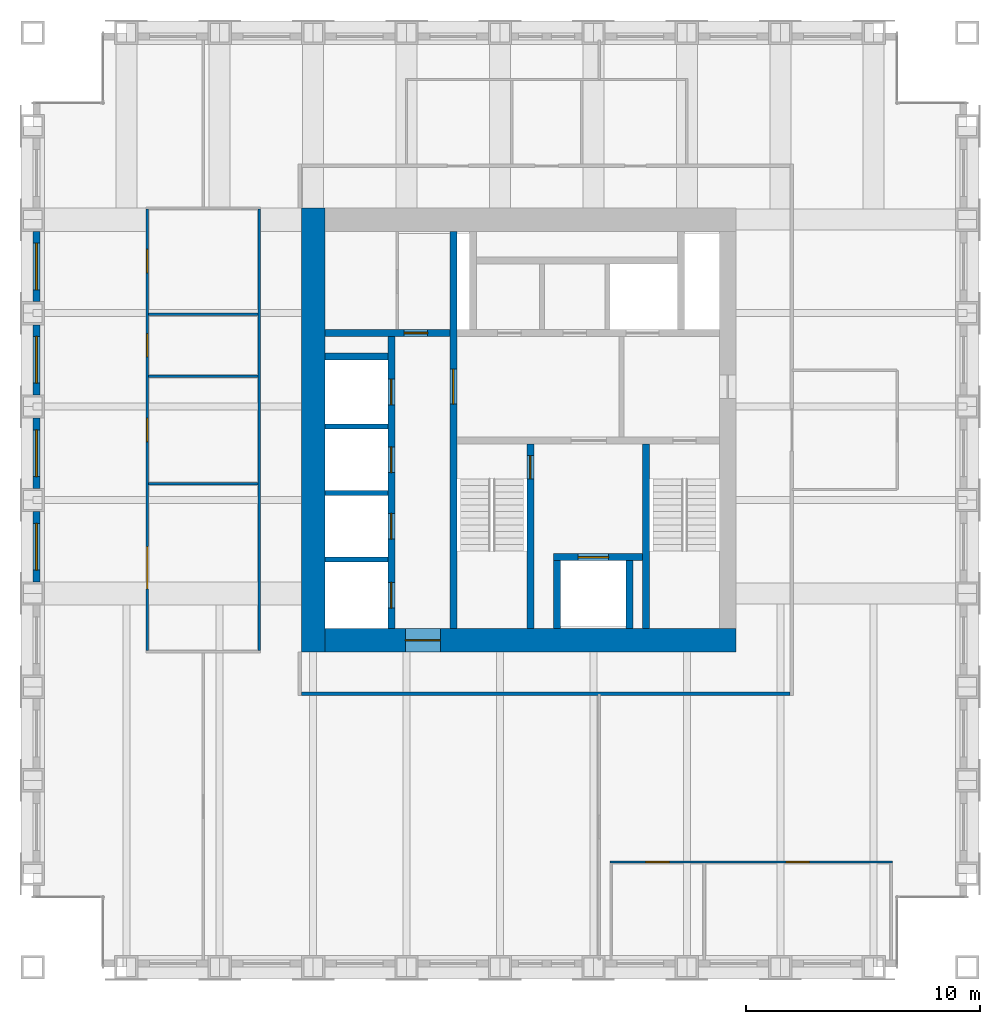
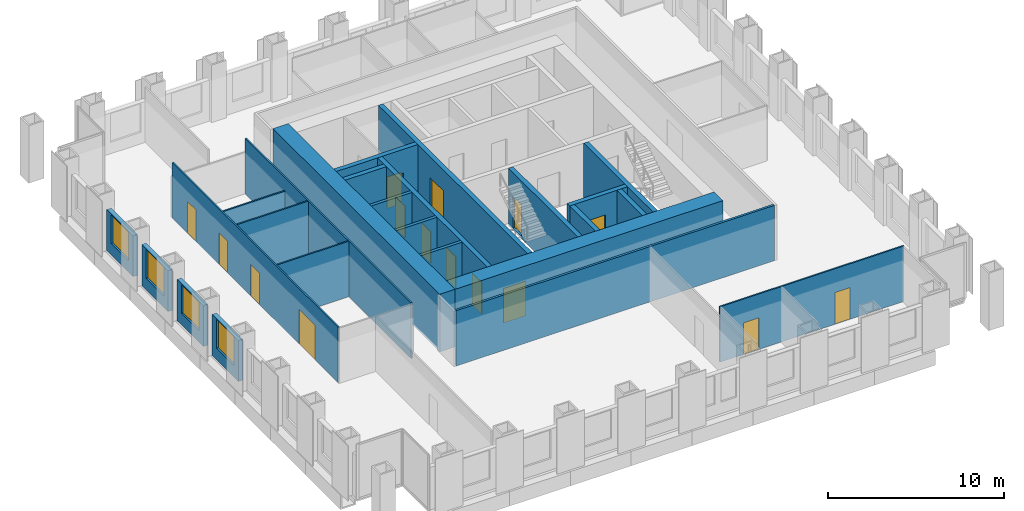
# One storey, part 8 of 11: 25 walls, 15 doors, 4 windows, 19 openings.
"""IFC4 building model written with IfcOpenShell, lengths in metres."""

import ifcopenshell
import ifcopenshell.guid

model = None  # the IFC model being written
_history = None  # IfcOwnerHistory: only IFC2X3 demands one
_inside = {}  # id of a spatial element -> (the spatial element, [elements in it])
_under = {}  # id of a project, library or spatial element -> (it, [spatial elements below it])
_declared = {}  # id of a project -> (the project, [libraries it declares])
_typed = {}  # id of a type object -> (the type object, [elements of that type])
_made_of = {}  # id of a material, layer set ... -> (it, [elements and type objects made of it])


def new_model(schema):
    """Start an empty IFC model of exactly this schema.

    Asked for "IFC4X3", IfcOpenShell would pick the latest addendum, in which some entities
    have other attributes; the version numbers below select the first issue.
    IFC2X3 requires an IfcOwnerHistory on every rooted entity: one is made here for all.
    """
    global model, _history
    if schema == "IFC4X3":
        model = ifcopenshell.file(schema_version=(4, 3, 0, 0))
    else:
        model = ifcopenshell.file(schema=schema)
    _inside.clear()
    _under.clear()
    _declared.clear()
    _typed.clear()
    _made_of.clear()
    _history = None
    if model.schema == "IFC2X3":
        org = make("IfcOrganization", Name="unknown")
        user = make(
            "IfcPersonAndOrganization",
            ThePerson=make("IfcPerson", FamilyName="unknown"),
            TheOrganization=org,
        )
        app = make(
            "IfcApplication",
            ApplicationDeveloper=org,
            Version="unknown",
            ApplicationFullName="unknown",
            ApplicationIdentifier="unknown",
        )
        _history = make(
            "IfcOwnerHistory",
            OwningUser=user,
            OwningApplication=app,
            ChangeAction="ADDED",
            CreationDate=0,
        )
    return model


def make(cls, **values):
    """One entity of the class cls with the attributes given. An attribute that is None is left unset."""
    return model.create_entity(
        cls, **{name: value for name, value in values.items() if value is not None}
    )


def rooted(cls, **values):
    """An entity with a GlobalId (a new one), such as an element, a storey or a relation."""
    return make(cls, GlobalId=ifcopenshell.guid.new(), OwnerHistory=_history, **values)


def si_unit(unit_type, name, prefix=None):
    """IfcSIUnit, for example si_unit("LENGTHUNIT", "METRE", prefix="MILLI")."""
    return make("IfcSIUnit", UnitType=unit_type, Prefix=prefix, Name=name)


def assignment(units):
    """IfcUnitAssignment: the units of a project."""
    return None if units is None else make("IfcUnitAssignment", Units=units)


def point(xyz):
    """IfcCartesianPoint."""
    return None if xyz is None else make("IfcCartesianPoint", Coordinates=xyz)


def direction(xyz):
    """IfcDirection."""
    return None if xyz is None else make("IfcDirection", DirectionRatios=xyz)


def frame(location, z_axis=None, x_axis=None):
    """IfcAxis2Placement3D, a coordinate frame: its origin and axes. An axis left out is left unset."""
    return make(
        "IfcAxis2Placement3D",
        Location=point(location),
        Axis=direction(z_axis),
        RefDirection=direction(x_axis),
    )


def frame_2d(location, x_axis=None):
    """IfcAxis2Placement2D, a coordinate frame in the plane: its origin and x axis."""
    return make(
        "IfcAxis2Placement2D", Location=point(location), RefDirection=direction(x_axis)
    )


def origin():
    """The frame at (0, 0, 0) with its axes left unset."""
    return frame((0.0, 0.0, 0.0))


def place(relative_to, where):
    """IfcLocalPlacement: puts the frame where relative to a parent placement (None: the world)."""
    return make(
        "IfcLocalPlacement", PlacementRelTo=relative_to, RelativePlacement=where
    )


def context(
    kind, dimensions, precision=None, world=None, true_north=None, identifier=None
):
    """IfcGeometricRepresentationContext, for example the 3D "Model" context."""
    return make(
        "IfcGeometricRepresentationContext",
        ContextIdentifier=identifier,
        ContextType=kind,
        CoordinateSpaceDimension=dimensions,
        Precision=precision,
        WorldCoordinateSystem=world,
        TrueNorth=true_north,
    )


def subcontext(parent, identifier, kind, view, scale=None):
    """IfcGeometricRepresentationSubContext, for example "Body" below "Model"."""
    return make(
        "IfcGeometricRepresentationSubContext",
        ContextIdentifier=identifier,
        ContextType=kind,
        ParentContext=parent,
        TargetScale=scale,
        TargetView=view,
    )


def project(units=None, contexts=None):
    """IfcProject with its units and contexts."""
    return rooted(
        "IfcProject",
        Name="project",
        RepresentationContexts=contexts,
        UnitsInContext=assignment(units),
    )


def spatial(cls, under=None, at=None, **own):
    """A site, building, storey or space (cls), placed at a placement, below another one or the project."""
    s = rooted(cls, ObjectPlacement=at, **own)
    if under is not None:
        _under.setdefault(under.id(), (under, []))[1].append(s)
    return s


def profile(cls, at=None, kind="AREA", **sizes):
    """A parametric profile (cls). Its sizes go by their IFC names, for example OverallWidth=200.0."""
    return make(cls, ProfileType=kind, Position=at, **sizes)


def rectangle(**sizes):
    """IfcRectangleProfileDef."""
    return profile("IfcRectangleProfileDef", **sizes)


def extrude(swept, where, along, depth):
    """IfcExtrudedAreaSolid: the profile swept, set in the frame where, extruded along a direction by depth."""
    return make(
        "IfcExtrudedAreaSolid",
        SweptArea=swept,
        Position=where,
        ExtrudedDirection=direction(along),
        Depth=depth,
    )


def shape(context_of_items, identifier, shape_type, items):
    """IfcShapeRepresentation: the items that make up one representation, for example the "Body"."""
    return make(
        "IfcShapeRepresentation",
        ContextOfItems=context_of_items,
        RepresentationIdentifier=identifier,
        RepresentationType=shape_type,
        Items=items,
    )


def material(Name=None, Category=None):
    """IfcMaterial."""
    return make("IfcMaterial", Name=Name, Category=Category)


def layer(
    of_material, thickness, ventilated=None, Name=None, Category=None, Priority=None
):
    """IfcMaterialLayer: one layer of a wall or slab, of a material (None: an air gap)."""
    return make(
        "IfcMaterialLayer",
        Material=of_material,
        LayerThickness=thickness,
        IsVentilated=ventilated,
        Name=Name,
        Category=Category,
        Priority=Priority,
    )


def layer_set(layers, Name=None):
    """IfcMaterialLayerSet."""
    return make("IfcMaterialLayerSet", MaterialLayers=layers, LayerSetName=Name)


def made_of(thing, what):
    """Note that an element or type object is made of a material, layer set ...; save() writes the relation."""
    if what is not None:
        _made_of.setdefault(what.id(), (what, []))[1].append(thing)
    return thing


def type_object(cls, material=None, **own):
    """A type object (cls), such as IfcWallType, which elements share."""
    return made_of(rooted(cls, **own), material)


def element(
    cls,
    number,
    at=None,
    inside=None,
    cuts=None,
    type_object=None,
    material=None,
    context=None,
    identifier="Body",
    shape_type=None,
    held_by="IfcProductDefinitionShape",
    body=None,
    shapes=None,
    **own,
):
    """One element of the class cls, such as IfcWall. Its Tag is "e" and its number.

    at: its placement. inside: the storey or other place that contains it. cuts: it is an
    opening in that element (IfcRelVoidsElement). A single representation is given by context,
    identifier, shape_type and body (its items); several are given by shapes. held_by: the class
    of the entity that holds the representations. save() writes the other relations.
    """
    e = rooted(cls, Tag="e%d" % number, ObjectPlacement=at, **own)
    if body is not None:
        shapes = [shape(context, identifier, shape_type, body)]
    if shapes is not None:
        e.Representation = make(held_by, Representations=shapes)
    if inside is not None:
        _inside.setdefault(inside.id(), (inside, []))[1].append(e)
    if cuts is not None:
        rooted(
            "IfcRelVoidsElement", RelatingBuildingElement=cuts, RelatedOpeningElement=e
        )
    if type_object is not None:
        _typed.setdefault(type_object.id(), (type_object, []))[1].append(e)
    return made_of(e, material)


def fill(opening, filler):
    """IfcRelFillsElement: the door or window that sits in an opening."""
    return rooted(
        "IfcRelFillsElement",
        RelatingOpeningElement=opening,
        RelatedBuildingElement=filler,
    )


def aggregate(whole, parts):
    """IfcRelAggregates: a whole, such as a stair, and the parts it consists of."""
    return rooted("IfcRelAggregates", RelatingObject=whole, RelatedObjects=parts)


def save(model, path):
    """Write the relations noted so far, then the file.

    IfcRelAggregates (storeys below a building ...), IfcRelContainedInSpatialStructure (elements
    in a storey), IfcRelDefinesByType, IfcRelAssociatesMaterial and IfcRelDeclares: one each for
    every whole, place, type object, material and project.
    """
    for whole, parts in _under.values():
        aggregate(whole, parts)
    for where, things in _inside.values():
        rooted(
            "IfcRelContainedInSpatialStructure",
            RelatedElements=things,
            RelatingStructure=where,
        )
    for kind, things in _typed.values():
        rooted("IfcRelDefinesByType", RelatedObjects=things, RelatingType=kind)
    for what, things in _made_of.values():
        rooted("IfcRelAssociatesMaterial", RelatedObjects=things, RelatingMaterial=what)
    for by, libraries in _declared.values():
        rooted("IfcRelDeclares", RelatingContext=by, RelatedDefinitions=libraries)
    model.write(path)


model = new_model("IFC4")

# Units and contexts
model_context = context("Model", 3, precision=1e-05, world=origin(), true_north=direction((0.0, 1.0)))
body_context = subcontext(model_context, "Body", "Model", "MODEL_VIEW")
ifc_project = project(units=[si_unit("LENGTHUNIT", "METRE"), si_unit("AREAUNIT", "SQUARE_METRE"), si_unit("VOLUMEUNIT", "CUBIC_METRE"), si_unit("PLANEANGLEUNIT", "RADIAN"), si_unit("MASSUNIT", "GRAM", prefix="KILO")], contexts=[model_context])

# Site, building, storey
site_placement = place(None, origin())
site = spatial("IfcSite", under=ifc_project, at=site_placement, CompositionType="ELEMENT")
building_placement = place(site_placement, origin())
building = spatial("IfcBuilding", under=site, at=building_placement, Name="Rimbunsela Tower", CompositionType="ELEMENT")
storey_placement = place(building_placement, frame((0.0, 0.0, 278.199951171875)))
storey = spatial("IfcBuildingStorey", under=building, at=storey_placement, Name="L67", CompositionType="ELEMENT", Elevation=278.199951171875)

# Wall, opening, door
ifc_material_1 = material(Name="Concrete fc' 80 MPa", Category="concrete")
ifc_layer_1 = layer(ifc_material_1, 0.300048828125)
ifc_layer_set_1 = layer_set([ifc_layer_1], Name="Core internal wall 300")
wall_type_1 = type_object("IfcWallType", Name="Core internal wall 300", PredefinedType="SHEAR", material=ifc_layer_set_1)
wall_1_placement = place(storey_placement, frame((24.0, 18.5, -0.14990234375), z_axis=(0.0, 0.0, 1.0), x_axis=(0.0, 1.0, 0.0)))
wall_1 = element("IfcWall", 1, at=wall_1_placement, inside=storey, type_object=wall_type_1, Name="Core wall at stair A", PredefinedType="SHEAR", context=body_context, shape_type="SweptSolid", body=[
    extrude(rectangle(XDim=17.0, YDim=0.300048828125, at=frame_2d((8.5, 0.0))), origin(), (0.0, 0.0, 1.0), 4.0),
])
opening_1_placement = place(wall_1_placement, frame((9.60009765625, 0.0, 0.14990234375)))
opening_1 = element("IfcOpeningElement", 2, at=opening_1_placement, cuts=wall_1, Name="Opening D03", PredefinedType="OPENING", context=body_context, shape_type="SweptSolid", body=[
    extrude(rectangle(XDim=1.5, YDim=2.39990234375, at=frame_2d((0.75, 1.199951171875))), frame((0.0, 0.159912109375, 0.0), z_axis=(0.0, -1.0, 0.0), x_axis=(1.0, 0.0, 0.0)), (0.0, 0.0, 1.0), 0.320068359375),
])
ifc_material_2 = material(Name="Steel door, fire rated", Category="steel")
door_type_1 = type_object("IfcDoorType", Name="Core lobby door 1500", OperationType="DOUBLE_DOOR_DOUBLE_SWING", PredefinedType="DOOR", material=ifc_material_2)
door_1_placement = place(opening_1_placement, origin())
door_1 = element("IfcDoor", 3, at=door_1_placement, inside=storey, type_object=door_type_1, Name="West lobby door", OperationType="DOUBLE_DOOR_DOUBLE_SWING", OverallHeight=2.39990234375, OverallWidth=1.5, PredefinedType="DOOR", context=body_context, shape_type="SweptSolid", body=[
    extrude(rectangle(XDim=1.5, YDim=2.39990234375, at=frame_2d((0.75, 1.199951171875))), frame((0.0, 0.02490234375, 0.0), z_axis=(0.0, -1.0, 0.0), x_axis=(1.0, 0.0, 0.0)), (0.0, 0.0, 1.0), 0.050048828125),
])
fill(opening_1, door_1)

wall_2_placement = place(storey_placement, frame((27.300048828125, 18.5, -0.14990234375), z_axis=(0.0, 0.0, 1.0), x_axis=(0.0, 1.0, 0.0)))
wall_2 = element("IfcWall", 4, at=wall_2_placement, inside=storey, type_object=wall_type_1, Name="Stair A enclosure", PredefinedType="SHEAR", context=body_context, shape_type="SweptSolid", body=[
    extrude(rectangle(XDim=7.89990234375, YDim=0.300048828125, at=frame_2d((3.949951171875, 0.0))), origin(), (0.0, 0.0, 1.0), 4.0),
])
opening_2_placement = place(wall_2_placement, frame((6.39990234375, 0.0, 0.14990234375)))
opening_2 = element("IfcOpeningElement", 5, at=opening_2_placement, cuts=wall_2, Name="Opening D01", PredefinedType="OPENING", context=body_context, shape_type="SweptSolid", body=[
    extrude(rectangle(XDim=1.0, YDim=2.199951171875, at=frame_2d((0.5, 1.10009765625))), frame((0.0, 0.159912109375, 0.0), z_axis=(0.0, -1.0, 0.0), x_axis=(1.0, 0.0, 0.0)), (0.0, 0.0, 1.0), 0.320068359375),
])
ifc_material_3 = material(Name="Steel door, fire rated", Category="steel")
door_type_2 = type_object("IfcDoorType", Name="Stair door 1000", OperationType="SINGLE_SWING_RIGHT", PredefinedType="DOOR", material=ifc_material_3)
door_2_placement = place(opening_2_placement, origin())
door_2 = element("IfcDoor", 6, at=door_2_placement, inside=storey, type_object=door_type_2, Name="Stair A door", OperationType="SINGLE_SWING_RIGHT", OverallHeight=2.199951171875, OverallWidth=1.0, PredefinedType="DOOR", context=body_context, shape_type="SweptSolid", body=[
    extrude(rectangle(XDim=1.0, YDim=2.199951171875, at=frame_2d((0.5, 1.10009765625))), frame((0.0, 0.02490234375, 0.0), z_axis=(0.0, -1.0, 0.0), x_axis=(1.0, 0.0, 0.0)), (0.0, 0.0, 1.0), 0.050048828125),
])
fill(opening_2, door_2)

# Walls
wall_3_placement = place(storey_placement, frame((32.25, 18.5, -0.14990234375), z_axis=(0.0, 0.0, 1.0), x_axis=(0.0, 1.0, 0.0)))
element("IfcWall", 7, at=wall_3_placement, inside=storey, type_object=wall_type_1, Name="Stair B enclosure", PredefinedType="SHEAR", context=body_context, shape_type="SweptSolid", body=[
    extrude(rectangle(XDim=7.89990234375, YDim=0.300048828125, at=frame_2d((3.949951171875, 0.0))), origin(), (0.0, 0.0, 1.0), 4.0),
])
for number, where, z_axis, x_axis, name in (
    (8, (28.449951171875, 18.5, -0.14990234375), (0.0, 0.0, 1.0), (0.0, 1.0, 0.0), "Firefighting lift shaft west"),
    (9, (31.550048828125, 18.5, -0.14990234375), (0.0, 0.0, 1.0), (0.0, 1.0, 0.0), "Firefighting lift shaft east"),
):
    element("IfcWall", number, at=place(storey_placement, frame(where, z_axis=z_axis, x_axis=x_axis)), inside=storey, type_object=wall_type_1, Name=name, PredefinedType="SHEAR", context=body_context, shape_type="SweptSolid", body=[
        extrude(rectangle(XDim=2.89990234375, YDim=0.300048828125, at=frame_2d((1.449951171875, 0.0))), origin(), (0.0, 0.0, 1.0), 4.0),
    ])

# Wall, opening, door
wall_4_placement = place(storey_placement, frame((28.300048828125, 21.550048828125, -0.14990234375), z_axis=(0.0, 0.0, 1.0), x_axis=(1.0, 0.0, 0.0)))
wall_4 = element("IfcWall", 10, at=wall_4_placement, inside=storey, type_object=wall_type_1, Name="Firefighting lift shaft front", PredefinedType="SHEAR", context=body_context, shape_type="SweptSolid", body=[
    extrude(rectangle(XDim=3.800048828125, YDim=0.300048828125, at=frame_2d((1.89990234375, 0.0))), origin(), (0.0, 0.0, 1.0), 4.0),
])
opening_3_placement = place(wall_4_placement, frame((1.050048828125, 0.0, 0.14990234375)))
opening_3 = element("IfcOpeningElement", 11, at=opening_3_placement, cuts=wall_4, Name="Opening LD2", PredefinedType="OPENING", context=body_context, shape_type="SweptSolid", body=[
    extrude(rectangle(XDim=1.300048828125, YDim=2.39990234375, at=frame_2d((0.64990234375, 1.199951171875))), frame((0.0, 0.159912109375, 0.0), z_axis=(0.0, -1.0, 0.0), x_axis=(1.0, 0.0, 0.0)), (0.0, 0.0, 1.0), 0.320068359375),
])
ifc_material_4 = material(Name="Steel door, fire rated", Category="steel")
door_type_3 = type_object("IfcDoorType", Name="Lift landing door 1300", OperationType="DOUBLE_DOOR_SLIDING", PredefinedType="DOOR", material=ifc_material_4)
door_3_placement = place(opening_3_placement, origin())
door_3 = element("IfcDoor", 12, at=door_3_placement, inside=storey, type_object=door_type_3, Name="Lift landing door FL1", OperationType="DOUBLE_DOOR_SLIDING", OverallHeight=2.39990234375, OverallWidth=1.300048828125, PredefinedType="DOOR", context=body_context, shape_type="SweptSolid", body=[
    extrude(rectangle(XDim=1.300048828125, YDim=2.39990234375, at=frame_2d((0.64990234375, 1.199951171875))), frame((0.0, 0.02490234375, 0.0), z_axis=(0.0, -1.0, 0.0), x_axis=(1.0, 0.0, 0.0)), (0.0, 0.0, 1.0), 0.050048828125),
])
fill(opening_3, door_3)

# Wall, openings, doors
wall_5_placement = place(storey_placement, frame((21.35009765625, 18.5, -0.14990234375), z_axis=(0.0, 0.0, 1.0), x_axis=(0.0, 1.0, 0.0)))
wall_5 = element("IfcWall", 13, at=wall_5_placement, inside=storey, type_object=wall_type_1, Name="Lift shaft front west", PredefinedType="SHEAR", context=body_context, shape_type="SweptSolid", body=[
    extrude(rectangle(XDim=12.5, YDim=0.300048828125, at=frame_2d((6.25, 0.0))), origin(), (0.0, 0.0, 1.0), 4.0),
])
opening_4_placement = place(wall_5_placement, frame((0.875, 0.0, 0.14990234375)))
opening_4 = element("IfcOpeningElement", 14, at=opening_4_placement, cuts=wall_5, Name="Opening LD1", PredefinedType="OPENING", context=body_context, shape_type="SweptSolid", body=[
    extrude(rectangle(XDim=1.10009765625, YDim=2.199951171875, at=frame_2d((0.550048828125, 1.10009765625))), frame((0.0, 0.159912109375, 0.0), z_axis=(0.0, -1.0, 0.0), x_axis=(1.0, 0.0, 0.0)), (0.0, 0.0, 1.0), 0.320068359375),
])
opening_5_placement = place(wall_5_placement, frame((3.824951171875, 0.0, 0.14990234375)))
opening_5 = element("IfcOpeningElement", 15, at=opening_5_placement, cuts=wall_5, Name="Opening LD1", PredefinedType="OPENING", context=body_context, shape_type="SweptSolid", body=[
    extrude(rectangle(XDim=1.10009765625, YDim=2.199951171875, at=frame_2d((0.550048828125, 1.10009765625))), frame((0.0, 0.159912109375, 0.0), z_axis=(0.0, -1.0, 0.0), x_axis=(1.0, 0.0, 0.0)), (0.0, 0.0, 1.0), 0.320068359375),
])
opening_6_placement = place(wall_5_placement, frame((6.675048828125, 0.0, 0.14990234375)))
opening_6 = element("IfcOpeningElement", 16, at=opening_6_placement, cuts=wall_5, Name="Opening LD1", PredefinedType="OPENING", context=body_context, shape_type="SweptSolid", body=[
    extrude(rectangle(XDim=1.10009765625, YDim=2.199951171875, at=frame_2d((0.550048828125, 1.10009765625))), frame((0.0, 0.159912109375, 0.0), z_axis=(0.0, -1.0, 0.0), x_axis=(1.0, 0.0, 0.0)), (0.0, 0.0, 1.0), 0.320068359375),
])
opening_7_placement = place(wall_5_placement, frame((9.574951171875, 0.0, 0.14990234375)))
opening_7 = element("IfcOpeningElement", 17, at=opening_7_placement, cuts=wall_5, Name="Opening LD1", PredefinedType="OPENING", context=body_context, shape_type="SweptSolid", body=[
    extrude(rectangle(XDim=1.10009765625, YDim=2.199951171875, at=frame_2d((0.550048828125, 1.10009765625))), frame((0.0, 0.159912109375, 0.0), z_axis=(0.0, -1.0, 0.0), x_axis=(1.0, 0.0, 0.0)), (0.0, 0.0, 1.0), 0.320068359375),
])
ifc_material_5 = material(Name="Steel door, fire rated", Category="steel")
door_type_4 = type_object("IfcDoorType", Name="Lift landing door 1100", OperationType="DOUBLE_DOOR_SLIDING", PredefinedType="DOOR", material=ifc_material_5)
door_4_placement = place(opening_4_placement, origin())
door_4 = element("IfcDoor", 18, at=door_4_placement, inside=storey, type_object=door_type_4, Name="Lift landing door TL1", OperationType="DOUBLE_DOOR_SLIDING", OverallHeight=2.199951171875, OverallWidth=1.10009765625, PredefinedType="DOOR", context=body_context, shape_type="SweptSolid", body=[
    extrude(rectangle(XDim=1.10009765625, YDim=2.199951171875, at=frame_2d((0.550048828125, 1.10009765625))), frame((0.0, 0.02490234375, 0.0), z_axis=(0.0, -1.0, 0.0), x_axis=(1.0, 0.0, 0.0)), (0.0, 0.0, 1.0), 0.050048828125),
])
fill(opening_4, door_4)
door_5_placement = place(opening_5_placement, origin())
door_5 = element("IfcDoor", 19, at=door_5_placement, inside=storey, type_object=door_type_4, Name="Lift landing door TL2", OperationType="DOUBLE_DOOR_SLIDING", OverallHeight=2.199951171875, OverallWidth=1.10009765625, PredefinedType="DOOR", context=body_context, shape_type="SweptSolid", body=[
    extrude(rectangle(XDim=1.10009765625, YDim=2.199951171875, at=frame_2d((0.550048828125, 1.10009765625))), frame((0.0, 0.02490234375, 0.0), z_axis=(0.0, -1.0, 0.0), x_axis=(1.0, 0.0, 0.0)), (0.0, 0.0, 1.0), 0.050048828125),
])
fill(opening_5, door_5)
door_6_placement = place(opening_6_placement, origin())
door_6 = element("IfcDoor", 20, at=door_6_placement, inside=storey, type_object=door_type_4, Name="Lift landing door TL3", OperationType="DOUBLE_DOOR_SLIDING", OverallHeight=2.199951171875, OverallWidth=1.10009765625, PredefinedType="DOOR", context=body_context, shape_type="SweptSolid", body=[
    extrude(rectangle(XDim=1.10009765625, YDim=2.199951171875, at=frame_2d((0.550048828125, 1.10009765625))), frame((0.0, 0.02490234375, 0.0), z_axis=(0.0, -1.0, 0.0), x_axis=(1.0, 0.0, 0.0)), (0.0, 0.0, 1.0), 0.050048828125),
])
fill(opening_6, door_6)
door_7_placement = place(opening_7_placement, origin())
door_7 = element("IfcDoor", 21, at=door_7_placement, inside=storey, type_object=door_type_4, Name="Lift landing door TL4", OperationType="DOUBLE_DOOR_SLIDING", OverallHeight=2.199951171875, OverallWidth=1.10009765625, PredefinedType="DOOR", context=body_context, shape_type="SweptSolid", body=[
    extrude(rectangle(XDim=1.10009765625, YDim=2.199951171875, at=frame_2d((0.550048828125, 1.10009765625))), frame((0.0, 0.02490234375, 0.0), z_axis=(0.0, -1.0, 0.0), x_axis=(1.0, 0.0, 0.0)), (0.0, 0.0, 1.0), 0.050048828125),
])
fill(opening_7, door_7)

# Wall, opening, door
wall_6_placement = place(storey_placement, frame((18.5, 31.14990234375, -0.14990234375), z_axis=(0.0, 0.0, 1.0), x_axis=(1.0, 0.0, 0.0)))
wall_6 = element("IfcWall", 22, at=wall_6_placement, inside=storey, type_object=wall_type_1, Name="Store wall", PredefinedType="SHEAR", context=body_context, shape_type="SweptSolid", body=[
    extrude(rectangle(XDim=5.35009765625, YDim=0.300048828125, at=frame_2d((2.675048828125, 0.0))), origin(), (0.0, 0.0, 1.0), 4.0),
])
opening_8_placement = place(wall_6_placement, frame((3.39990234375, 0.0, 0.14990234375)))
opening_8 = element("IfcOpeningElement", 23, at=opening_8_placement, cuts=wall_6, Name="Opening D19", PredefinedType="OPENING", context=body_context, shape_type="SweptSolid", body=[
    extrude(rectangle(XDim=1.0, YDim=2.199951171875, at=frame_2d((0.5, 1.10009765625))), frame((0.0, 0.159912109375, 0.0), z_axis=(0.0, -1.0, 0.0), x_axis=(1.0, 0.0, 0.0)), (0.0, 0.0, 1.0), 0.320068359375),
])
ifc_material_6 = material(Name="Steel door, fire rated", Category="steel")
door_type_5 = type_object("IfcDoorType", Name="Service door 1000 fire rated", OperationType="SINGLE_SWING_LEFT", PredefinedType="DOOR", material=ifc_material_6)
door_8_placement = place(opening_8_placement, origin())
door_8 = element("IfcDoor", 24, at=door_8_placement, inside=storey, type_object=door_type_5, Name="Staff pantry door", OperationType="SINGLE_SWING_LEFT", OverallHeight=2.199951171875, OverallWidth=1.0, PredefinedType="DOOR", context=body_context, shape_type="SweptSolid", body=[
    extrude(rectangle(XDim=1.0, YDim=2.199951171875, at=frame_2d((0.5, 1.10009765625))), frame((0.0, 0.02490234375, 0.0), z_axis=(0.0, -1.0, 0.0), x_axis=(1.0, 0.0, 0.0)), (0.0, 0.0, 1.0), 0.050048828125),
])
fill(opening_8, door_8)

# Walls
wall_7_placement = place(storey_placement, frame((18.5, 30.14990234375, -0.14990234375), z_axis=(0.0, 0.0, 1.0), x_axis=(1.0, 0.0, 0.0)))
element("IfcWall", 25, at=wall_7_placement, inside=storey, type_object=wall_type_1, Name="Lift shaft rear west", PredefinedType="SHEAR", context=body_context, shape_type="SweptSolid", body=[
    extrude(rectangle(XDim=2.699951171875, YDim=0.300048828125, at=frame_2d((1.35009765625, 0.0))), origin(), (0.0, 0.0, 1.0), 4.0),
])
ifc_material_7 = material(Name="Concrete fc' 80 MPa", Category="concrete")
ifc_layer_2 = layer(ifc_material_7, 1.0)
ifc_layer_set_2 = layer_set([ifc_layer_2], Name="Core wall 1000")
wall_type_2 = type_object("IfcWallType", Name="Core wall 1000", PredefinedType="SHEAR", material=ifc_layer_set_2)
wall_8_placement = place(storey_placement, frame((18.0, 17.5, -0.14990234375), z_axis=(0.0, 0.0, 1.0), x_axis=(0.0, 1.0, 0.0)))
element("IfcWall", 26, at=wall_8_placement, inside=storey, type_object=wall_type_2, Name="Core wall west", PredefinedType="SHEAR", context=body_context, shape_type="SweptSolid", body=[
    extrude(rectangle(XDim=19.0, YDim=1.0, at=frame_2d((9.5, 0.0))), origin(), (0.0, 0.0, 1.0), 4.0),
])

# Wall, opening, door
wall_9_placement = place(storey_placement, frame((18.5, 18.0, -0.14990234375), z_axis=(0.0, 0.0, 1.0), x_axis=(1.0, 0.0, 0.0)))
wall_9 = element("IfcWall", 27, at=wall_9_placement, inside=storey, type_object=wall_type_2, Name="Core wall south", PredefinedType="SHEAR", context=body_context, shape_type="SweptSolid", body=[
    extrude(rectangle(XDim=17.60009765625, YDim=1.0, at=frame_2d((8.800048828125, 0.0))), origin(), (0.0, 0.0, 1.0), 4.0),
])
opening_9_placement = place(wall_9_placement, frame((3.449951171875, 0.0, 0.14990234375)))
opening_9 = element("IfcOpeningElement", 28, at=opening_9_placement, cuts=wall_9, Name="Opening D03", PredefinedType="OPENING", context=body_context, shape_type="SweptSolid", body=[
    extrude(rectangle(XDim=1.5, YDim=2.39990234375, at=frame_2d((0.75, 1.199951171875))), frame((0.0, 0.510009765625, 0.0), z_axis=(0.0, -1.0, 0.0), x_axis=(1.0, 0.0, 0.0)), (0.0, 0.0, 1.0), 1.02001953125),
])
door_9_placement = place(opening_9_placement, origin())
door_9 = element("IfcDoor", 29, at=door_9_placement, inside=storey, type_object=door_type_1, Name="Core door south", OperationType="DOUBLE_DOOR_DOUBLE_SWING", OverallHeight=2.39990234375, OverallWidth=1.5, PredefinedType="DOOR", context=body_context, shape_type="SweptSolid", body=[
    extrude(rectangle(XDim=1.5, YDim=2.39990234375, at=frame_2d((0.75, 1.199951171875))), frame((0.0, 0.02490234375, 0.0), z_axis=(0.0, -1.0, 0.0), x_axis=(1.0, 0.0, 0.0)), (0.0, 0.0, 1.0), 0.050048828125),
])
fill(opening_9, door_9)

# Walls
ifc_material_8 = material(Name="Concrete blockwork", Category="masonry")
ifc_layer_3 = layer(ifc_material_8, 0.199951171875)
ifc_layer_set_3 = layer_set([ifc_layer_3], Name="Lift shaft wall 200")
wall_type_3 = type_object("IfcWallType", Name="Lift shaft wall 200", PredefinedType="SOLIDWALL", material=ifc_layer_set_3)
for number, where, z_axis, x_axis, name in (
    (30, (18.5, 21.449951171875, -0.14990234375), (0.0, 0.0, 1.0), (1.0, 0.0, 0.0), "Lift shaft separation"),
    (31, (18.5, 24.300048828125, -0.14990234375), (0.0, 0.0, 1.0), (1.0, 0.0, 0.0), "Lift shaft separation"),
    (32, (18.5, 27.14990234375, -0.14990234375), (0.0, 0.0, 1.0), (1.0, 0.0, 0.0), "Lift shaft separation"),
):
    element("IfcWall", number, at=place(storey_placement, frame(where, z_axis=z_axis, x_axis=x_axis)), inside=storey, type_object=wall_type_3, Name=name, PredefinedType="SOLIDWALL", context=body_context, shape_type="SweptSolid", body=[
        extrude(rectangle(XDim=2.699951171875, YDim=0.199951171875, at=frame_2d((1.35009765625, 0.0))), origin(), (0.0, 0.0, 1.0), 4.0),
    ])

# Wall, openings, doors
ifc_material_9 = material(Name="Gypsum board on steel studs", Category="steel")
ifc_layer_4 = layer(ifc_material_9, 0.10009765625)
ifc_layer_set_4 = layer_set([ifc_layer_4], Name="Office partition 100")
wall_type_4 = type_object("IfcWallType", Name="Office partition 100", PredefinedType="PARTITIONING", material=ifc_layer_set_4)
wall_10_placement = place(storey_placement, frame((30.699951171875, 8.5, 0.0), z_axis=(0.0, 0.0, 1.0), x_axis=(1.0, 0.0, 0.0)))
wall_10 = element("IfcWall", 33, at=wall_10_placement, inside=storey, type_object=wall_type_4, Name="Office partition", PredefinedType="PARTITIONING", context=body_context, shape_type="SweptSolid", body=[
    extrude(rectangle(XDim=12.10009765625, YDim=0.10009765625, at=frame_2d((6.050048828125, 0.0))), origin(), (0.0, 0.0, 1.0), 3.85009765625),
])
opening_10_placement = place(wall_10_placement, frame((1.550048828125, 0.0, 0.0)))
opening_10 = element("IfcOpeningElement", 34, at=opening_10_placement, cuts=wall_10, Name="Opening D16", PredefinedType="OPENING", context=body_context, shape_type="SweptSolid", body=[
    extrude(rectangle(XDim=1.0, YDim=2.199951171875, at=frame_2d((0.5, 1.10009765625))), frame((0.0, 0.06005859375, 0.0), z_axis=(0.0, -1.0, 0.0), x_axis=(1.0, 0.0, 0.0)), (0.0, 0.0, 1.0), 0.1201171875),
])
opening_11_placement = place(wall_10_placement, frame((7.550048828125, 0.0, 0.0)))
opening_11 = element("IfcOpeningElement", 35, at=opening_11_placement, cuts=wall_10, Name="Opening D16", PredefinedType="OPENING", context=body_context, shape_type="SweptSolid", body=[
    extrude(rectangle(XDim=1.0, YDim=2.199951171875, at=frame_2d((0.5, 1.10009765625))), frame((0.0, 0.06005859375, 0.0), z_axis=(0.0, -1.0, 0.0), x_axis=(1.0, 0.0, 0.0)), (0.0, 0.0, 1.0), 0.1201171875),
])
ifc_material_10 = material(Name="Timber door", Category="wood")
door_type_6 = type_object("IfcDoorType", Name="Office door 1000", OperationType="SINGLE_SWING_LEFT", PredefinedType="DOOR", material=ifc_material_10)
door_10_placement = place(opening_10_placement, origin())
door_10 = element("IfcDoor", 36, at=door_10_placement, inside=storey, type_object=door_type_6, Name="Office door", OperationType="SINGLE_SWING_LEFT", OverallHeight=2.199951171875, OverallWidth=1.0, PredefinedType="DOOR", context=body_context, shape_type="SweptSolid", body=[
    extrude(rectangle(XDim=1.0, YDim=2.199951171875, at=frame_2d((0.5, 1.10009765625))), frame((0.0, 0.02490234375, 0.0), z_axis=(0.0, -1.0, 0.0), x_axis=(1.0, 0.0, 0.0)), (0.0, 0.0, 1.0), 0.050048828125),
])
fill(opening_10, door_10)
door_11_placement = place(opening_11_placement, origin())
door_11 = element("IfcDoor", 37, at=door_11_placement, inside=storey, type_object=door_type_6, Name="Office door", OperationType="SINGLE_SWING_LEFT", OverallHeight=2.199951171875, OverallWidth=1.0, PredefinedType="DOOR", context=body_context, shape_type="SweptSolid", body=[
    extrude(rectangle(XDim=1.0, YDim=2.199951171875, at=frame_2d((0.5, 1.10009765625))), frame((0.0, 0.02490234375, 0.0), z_axis=(0.0, -1.0, 0.0), x_axis=(1.0, 0.0, 0.0)), (0.0, 0.0, 1.0), 0.050048828125),
])
fill(opening_11, door_11)

# Walls
for number, where, z_axis, x_axis, name in (
    (38, (10.949951171875, 24.699951171875, 0.0), (0.0, 0.0, 1.0), (1.0, 0.0, 0.0), "Office partition"),
    (39, (10.949951171875, 29.300048828125, 0.0), (0.0, 0.0, 1.0), (1.0, 0.0, 0.0), "Office partition"),
):
    element("IfcWall", number, at=place(storey_placement, frame(where, z_axis=z_axis, x_axis=x_axis)), inside=storey, type_object=wall_type_4, Name=name, PredefinedType="PARTITIONING", context=body_context, shape_type="SweptSolid", body=[
        extrude(rectangle(XDim=4.699951171875, YDim=0.10009765625, at=frame_2d((2.35009765625, 0.0))), origin(), (0.0, 0.0, 1.0), 3.85009765625),
    ])
wall_11_placement = place(storey_placement, frame((10.949951171875, 31.949951171875, 0.0), z_axis=(0.0, 0.0, 1.0), x_axis=(1.0, 0.0, 0.0)))
element("IfcWall", 40, at=wall_11_placement, inside=storey, type_object=wall_type_4, Name="Office partition", PredefinedType="PARTITIONING", context=body_context, shape_type="SweptSolid", body=[
    extrude(rectangle(XDim=4.699951171875, YDim=0.10009765625, at=frame_2d((2.35009765625, 0.0))), origin(), (0.0, 0.0, 1.0), 2.949951171875),
])

# Wall, openings, doors
wall_12_placement = place(storey_placement, frame((10.89990234375, 17.550048828125, 0.0), z_axis=(0.0, 0.0, 1.0), x_axis=(0.0, 1.0, 0.0)))
wall_12 = element("IfcWall", 41, at=wall_12_placement, inside=storey, type_object=wall_type_4, Name="Office partition", PredefinedType="PARTITIONING", context=body_context, shape_type="SweptSolid", body=[
    extrude(rectangle(XDim=18.89990234375, YDim=0.10009765625, at=frame_2d((9.449951171875, 0.0))), origin(), (0.0, 0.0, 1.0), 3.85009765625),
])
opening_12_placement = place(wall_12_placement, frame((2.64990234375, 0.0, 0.0)))
opening_12 = element("IfcOpeningElement", 42, at=opening_12_placement, cuts=wall_12, Name="Opening D18", PredefinedType="OPENING", context=body_context, shape_type="SweptSolid", body=[
    extrude(rectangle(XDim=1.800048828125, YDim=2.39990234375, at=frame_2d((0.89990234375, 1.199951171875))), frame((0.0, 0.06005859375, 0.0), z_axis=(0.0, -1.0, 0.0), x_axis=(1.0, 0.0, 0.0)), (0.0, 0.0, 1.0), 0.1201171875),
])
opening_13_placement = place(wall_12_placement, frame((8.949951171875, 0.0, 0.0)))
opening_13 = element("IfcOpeningElement", 43, at=opening_13_placement, cuts=wall_12, Name="Opening D16", PredefinedType="OPENING", context=body_context, shape_type="SweptSolid", body=[
    extrude(rectangle(XDim=1.0, YDim=2.199951171875, at=frame_2d((0.5, 1.10009765625))), frame((0.0, 0.06005859375, 0.0), z_axis=(0.0, -1.0, 0.0), x_axis=(1.0, 0.0, 0.0)), (0.0, 0.0, 1.0), 0.1201171875),
])
opening_14_placement = place(wall_12_placement, frame((12.574951171875, 0.0, 0.0)))
opening_14 = element("IfcOpeningElement", 44, at=opening_14_placement, cuts=wall_12, Name="Opening D16", PredefinedType="OPENING", context=body_context, shape_type="SweptSolid", body=[
    extrude(rectangle(XDim=1.0, YDim=2.199951171875, at=frame_2d((0.5, 1.10009765625))), frame((0.0, 0.06005859375, 0.0), z_axis=(0.0, -1.0, 0.0), x_axis=(1.0, 0.0, 0.0)), (0.0, 0.0, 1.0), 0.1201171875),
])
opening_15_placement = place(wall_12_placement, frame((16.175048828125, 0.0, 0.0)))
opening_15 = element("IfcOpeningElement", 45, at=opening_15_placement, cuts=wall_12, Name="Opening D16", PredefinedType="OPENING", context=body_context, shape_type="SweptSolid", body=[
    extrude(rectangle(XDim=1.0, YDim=2.199951171875, at=frame_2d((0.5, 1.10009765625))), frame((0.0, 0.06005859375, 0.0), z_axis=(0.0, -1.0, 0.0), x_axis=(1.0, 0.0, 0.0)), (0.0, 0.0, 1.0), 0.1201171875),
])
ifc_material_11 = material(Name="Glazed aluminium door", Category="aluminium")
door_type_7 = type_object("IfcDoorType", Name="Boardroom door 1800 glazed", OperationType="DOUBLE_DOOR_DOUBLE_SWING", PredefinedType="DOOR", material=ifc_material_11)
door_12_placement = place(opening_12_placement, origin())
door_12 = element("IfcDoor", 46, at=door_12_placement, inside=storey, type_object=door_type_7, Name="Boardroom door", OperationType="DOUBLE_DOOR_DOUBLE_SWING", OverallHeight=2.39990234375, OverallWidth=1.800048828125, PredefinedType="DOOR", context=body_context, shape_type="SweptSolid", body=[
    extrude(rectangle(XDim=1.800048828125, YDim=2.39990234375, at=frame_2d((0.89990234375, 1.199951171875))), frame((0.0, 0.02490234375, 0.0), z_axis=(0.0, -1.0, 0.0), x_axis=(1.0, 0.0, 0.0)), (0.0, 0.0, 1.0), 0.050048828125),
])
fill(opening_12, door_12)
door_13_placement = place(opening_13_placement, origin())
door_13 = element("IfcDoor", 47, at=door_13_placement, inside=storey, type_object=door_type_6, Name="Office door", OperationType="SINGLE_SWING_LEFT", OverallHeight=2.199951171875, OverallWidth=1.0, PredefinedType="DOOR", context=body_context, shape_type="SweptSolid", body=[
    extrude(rectangle(XDim=1.0, YDim=2.199951171875, at=frame_2d((0.5, 1.10009765625))), frame((0.0, 0.02490234375, 0.0), z_axis=(0.0, -1.0, 0.0), x_axis=(1.0, 0.0, 0.0)), (0.0, 0.0, 1.0), 0.050048828125),
])
fill(opening_13, door_13)
door_14_placement = place(opening_14_placement, origin())
door_14 = element("IfcDoor", 48, at=door_14_placement, inside=storey, type_object=door_type_6, Name="Office door", OperationType="SINGLE_SWING_LEFT", OverallHeight=2.199951171875, OverallWidth=1.0, PredefinedType="DOOR", context=body_context, shape_type="SweptSolid", body=[
    extrude(rectangle(XDim=1.0, YDim=2.199951171875, at=frame_2d((0.5, 1.10009765625))), frame((0.0, 0.02490234375, 0.0), z_axis=(0.0, -1.0, 0.0), x_axis=(1.0, 0.0, 0.0)), (0.0, 0.0, 1.0), 0.050048828125),
])
fill(opening_14, door_14)
door_15_placement = place(opening_15_placement, origin())
door_15 = element("IfcDoor", 49, at=door_15_placement, inside=storey, type_object=door_type_6, Name="Office door", OperationType="SINGLE_SWING_LEFT", OverallHeight=2.199951171875, OverallWidth=1.0, PredefinedType="DOOR", context=body_context, shape_type="SweptSolid", body=[
    extrude(rectangle(XDim=1.0, YDim=2.199951171875, at=frame_2d((0.5, 1.10009765625))), frame((0.0, 0.02490234375, 0.0), z_axis=(0.0, -1.0, 0.0), x_axis=(1.0, 0.0, 0.0)), (0.0, 0.0, 1.0), 0.050048828125),
])
fill(opening_15, door_15)

# Wall
wall_13_placement = place(storey_placement, frame((15.699951171875, 17.550048828125, 0.0), z_axis=(0.0, 0.0, 1.0), x_axis=(0.0, 1.0, 0.0)))
element("IfcWall", 50, at=wall_13_placement, inside=storey, type_object=wall_type_4, Name="Office partition", PredefinedType="PARTITIONING", context=body_context, shape_type="SweptSolid", body=[
    extrude(rectangle(XDim=18.89990234375, YDim=0.10009765625, at=frame_2d((9.449951171875, 0.0))), origin(), (0.0, 0.0, 1.0), 3.85009765625),
])

# Wall, opening, window
ifc_material_12 = material(Name="Precast concrete fc' 35 MPa", Category="concrete")
ifc_layer_5 = layer(ifc_material_12, 0.300048828125)
ifc_layer_set_5 = layer_set([ifc_layer_5], Name="Precast concrete fc' 35 MPa")
wall_type_5 = type_object("IfcWallType", Name="Precast facade panel 300", PredefinedType="ELEMENTEDWALL", material=ifc_layer_set_5)
wall_14_placement = place(storey_placement, frame((6.14990234375, 23.5, 0.0), z_axis=(0.0, 0.0, 1.0), x_axis=(0.0, -1.0, 0.0)))
wall_14 = element("IfcWall", 51, at=wall_14_placement, inside=storey, type_object=wall_type_5, Name="Facade panel W L67", PredefinedType="ELEMENTEDWALL", context=body_context, shape_type="SweptSolid", body=[
    extrude(rectangle(XDim=3.0, YDim=0.300048828125, at=frame_2d((1.5, 0.0))), origin(), (0.0, 0.0, 1.0), 2.85009765625),
])
opening_16_placement = place(wall_14_placement, frame((0.5, 0.0, 0.800048828125)))
opening_16 = element("IfcOpeningElement", 52, at=opening_16_placement, cuts=wall_14, Name="Opening W1", PredefinedType="OPENING", context=body_context, shape_type="SweptSolid", body=[
    extrude(rectangle(XDim=2.0, YDim=2.0, at=frame_2d((1.0, 1.0))), frame((0.0, 0.159912109375, 0.0), z_axis=(0.0, -1.0, 0.0), x_axis=(1.0, 0.0, 0.0)), (0.0, 0.0, 1.0), 0.320068359375),
])
ifc_material_13 = material(Name="Clear glass in aluminium frame", Category="aluminium")
window_type = type_object("IfcWindowType", Name="Window W1 2000x2000", PartitioningType="DOUBLE_PANEL_VERTICAL", PredefinedType="WINDOW", material=ifc_material_13)
window_1_placement = place(opening_16_placement, origin())
window_1 = element("IfcWindow", 53, at=window_1_placement, inside=storey, type_object=window_type, Name="Window L67", OverallHeight=2.0, OverallWidth=2.0, PartitioningType="SINGLE_PANEL", PredefinedType="WINDOW", context=body_context, shape_type="SweptSolid", body=[
    extrude(rectangle(XDim=2.0, YDim=2.0, at=frame_2d((1.0, 1.0))), frame((0.0, 0.030029296875, 0.0), z_axis=(0.0, -1.0, 0.0), x_axis=(1.0, 0.0, 0.0)), (0.0, 0.0, 1.0), 0.06005859375),
])
fill(opening_16, window_1)

wall_15_placement = place(storey_placement, frame((6.14990234375, 27.5, 0.0), z_axis=(0.0, 0.0, 1.0), x_axis=(0.0, -1.0, 0.0)))
wall_15 = element("IfcWall", 54, at=wall_15_placement, inside=storey, type_object=wall_type_5, Name="Facade panel W L67", PredefinedType="ELEMENTEDWALL", context=body_context, shape_type="SweptSolid", body=[
    extrude(rectangle(XDim=3.0, YDim=0.300048828125, at=frame_2d((1.5, 0.0))), origin(), (0.0, 0.0, 1.0), 2.85009765625),
])
opening_17_placement = place(wall_15_placement, frame((0.5, 0.0, 0.800048828125)))
opening_17 = element("IfcOpeningElement", 55, at=opening_17_placement, cuts=wall_15, Name="Opening W1", PredefinedType="OPENING", context=body_context, shape_type="SweptSolid", body=[
    extrude(rectangle(XDim=2.0, YDim=2.0, at=frame_2d((1.0, 1.0))), frame((0.0, 0.159912109375, 0.0), z_axis=(0.0, -1.0, 0.0), x_axis=(1.0, 0.0, 0.0)), (0.0, 0.0, 1.0), 0.320068359375),
])
window_2_placement = place(opening_17_placement, origin())
window_2 = element("IfcWindow", 56, at=window_2_placement, inside=storey, type_object=window_type, Name="Window L67", OverallHeight=2.0, OverallWidth=2.0, PartitioningType="SINGLE_PANEL", PredefinedType="WINDOW", context=body_context, shape_type="SweptSolid", body=[
    extrude(rectangle(XDim=2.0, YDim=2.0, at=frame_2d((1.0, 1.0))), frame((0.0, 0.030029296875, 0.0), z_axis=(0.0, -1.0, 0.0), x_axis=(1.0, 0.0, 0.0)), (0.0, 0.0, 1.0), 0.06005859375),
])
fill(opening_17, window_2)

wall_16_placement = place(storey_placement, frame((6.14990234375, 31.5, 0.0), z_axis=(0.0, 0.0, 1.0), x_axis=(0.0, -1.0, 0.0)))
wall_16 = element("IfcWall", 57, at=wall_16_placement, inside=storey, type_object=wall_type_5, Name="Facade panel W L67", PredefinedType="ELEMENTEDWALL", context=body_context, shape_type="SweptSolid", body=[
    extrude(rectangle(XDim=3.0, YDim=0.300048828125, at=frame_2d((1.5, 0.0))), origin(), (0.0, 0.0, 1.0), 2.85009765625),
])
opening_18_placement = place(wall_16_placement, frame((0.5, 0.0, 0.800048828125)))
opening_18 = element("IfcOpeningElement", 58, at=opening_18_placement, cuts=wall_16, Name="Opening W1", PredefinedType="OPENING", context=body_context, shape_type="SweptSolid", body=[
    extrude(rectangle(XDim=2.0, YDim=2.0, at=frame_2d((1.0, 1.0))), frame((0.0, 0.159912109375, 0.0), z_axis=(0.0, -1.0, 0.0), x_axis=(1.0, 0.0, 0.0)), (0.0, 0.0, 1.0), 0.320068359375),
])
window_3_placement = place(opening_18_placement, origin())
window_3 = element("IfcWindow", 59, at=window_3_placement, inside=storey, type_object=window_type, Name="Window L67", OverallHeight=2.0, OverallWidth=2.0, PartitioningType="SINGLE_PANEL", PredefinedType="WINDOW", context=body_context, shape_type="SweptSolid", body=[
    extrude(rectangle(XDim=2.0, YDim=2.0, at=frame_2d((1.0, 1.0))), frame((0.0, 0.030029296875, 0.0), z_axis=(0.0, -1.0, 0.0), x_axis=(1.0, 0.0, 0.0)), (0.0, 0.0, 1.0), 0.06005859375),
])
fill(opening_18, window_3)

wall_17_placement = place(storey_placement, frame((6.14990234375, 35.5, 0.0), z_axis=(0.0, 0.0, 1.0), x_axis=(0.0, -1.0, 0.0)))
wall_17 = element("IfcWall", 60, at=wall_17_placement, inside=storey, type_object=wall_type_5, Name="Facade panel W L67", PredefinedType="ELEMENTEDWALL", context=body_context, shape_type="SweptSolid", body=[
    extrude(rectangle(XDim=3.0, YDim=0.300048828125, at=frame_2d((1.5, 0.0))), origin(), (0.0, 0.0, 1.0), 2.85009765625),
])
opening_19_placement = place(wall_17_placement, frame((0.5, 0.0, 0.800048828125)))
opening_19 = element("IfcOpeningElement", 61, at=opening_19_placement, cuts=wall_17, Name="Opening W1", PredefinedType="OPENING", context=body_context, shape_type="SweptSolid", body=[
    extrude(rectangle(XDim=2.0, YDim=2.0, at=frame_2d((1.0, 1.0))), frame((0.0, 0.159912109375, 0.0), z_axis=(0.0, -1.0, 0.0), x_axis=(1.0, 0.0, 0.0)), (0.0, 0.0, 1.0), 0.320068359375),
])
window_4_placement = place(opening_19_placement, origin())
window_4 = element("IfcWindow", 62, at=window_4_placement, inside=storey, type_object=window_type, Name="Window L67", OverallHeight=2.0, OverallWidth=2.0, PartitioningType="SINGLE_PANEL", PredefinedType="WINDOW", context=body_context, shape_type="SweptSolid", body=[
    extrude(rectangle(XDim=2.0, YDim=2.0, at=frame_2d((1.0, 1.0))), frame((0.0, 0.030029296875, 0.0), z_axis=(0.0, -1.0, 0.0), x_axis=(1.0, 0.0, 0.0)), (0.0, 0.0, 1.0), 0.06005859375),
])
fill(opening_19, window_4)

# Wall
ifc_material_14 = material(Name="Fire-rated gypsum board on steel studs, EI 60", Category="steel")
ifc_layer_6 = layer(ifc_material_14, 0.14990234375)
ifc_layer_set_6 = layer_set([ifc_layer_6], Name="Rated corridor wall 150")
wall_type_6 = type_object("IfcWallType", Name="Rated corridor wall 150", PredefinedType="PARTITIONING", material=ifc_layer_set_6)
wall_18_placement = place(storey_placement, frame((17.5, 15.699951171875, 0.0), z_axis=(0.0, 0.0, 1.0), x_axis=(1.0, 0.0, 0.0)))
element("IfcWall", 63, at=wall_18_placement, inside=storey, type_object=wall_type_6, Name="Corridor wall south", PredefinedType="PARTITIONING", context=body_context, shape_type="SweptSolid", body=[
    extrude(rectangle(XDim=20.925048828125, YDim=0.14990234375, at=frame_2d((10.46240234375, 0.0))), origin(), (0.0, 0.0, 1.0), 3.85009765625),
])

save(model, "model.ifc")
